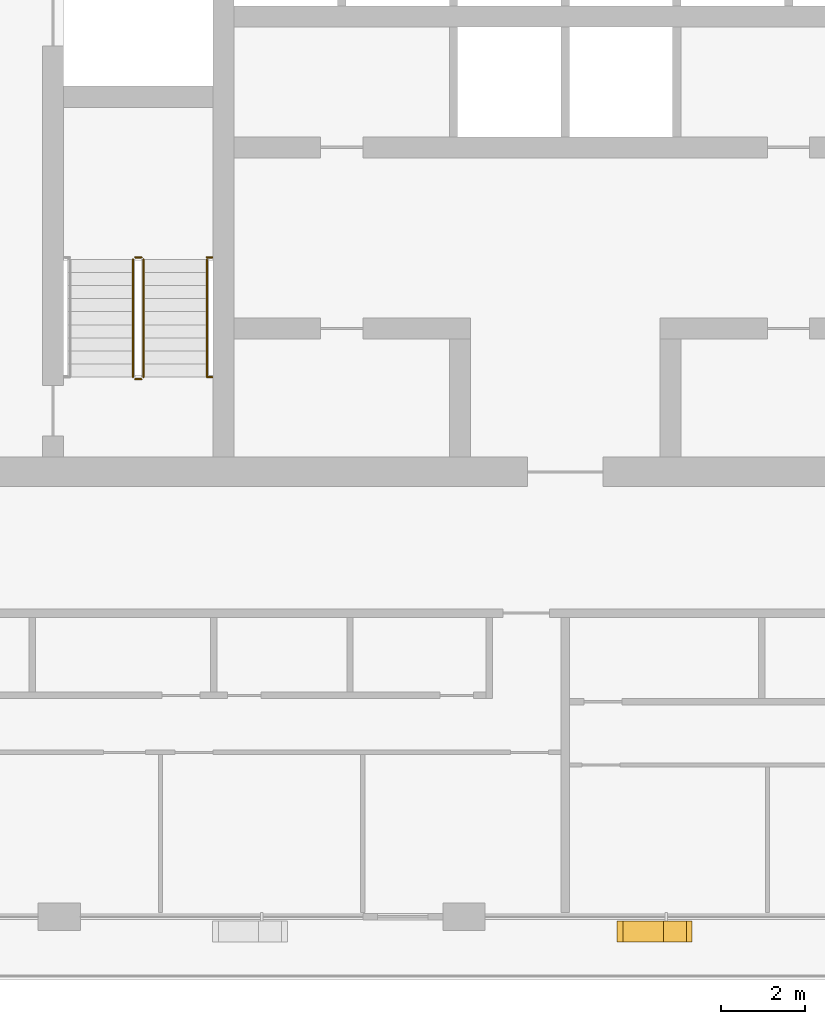
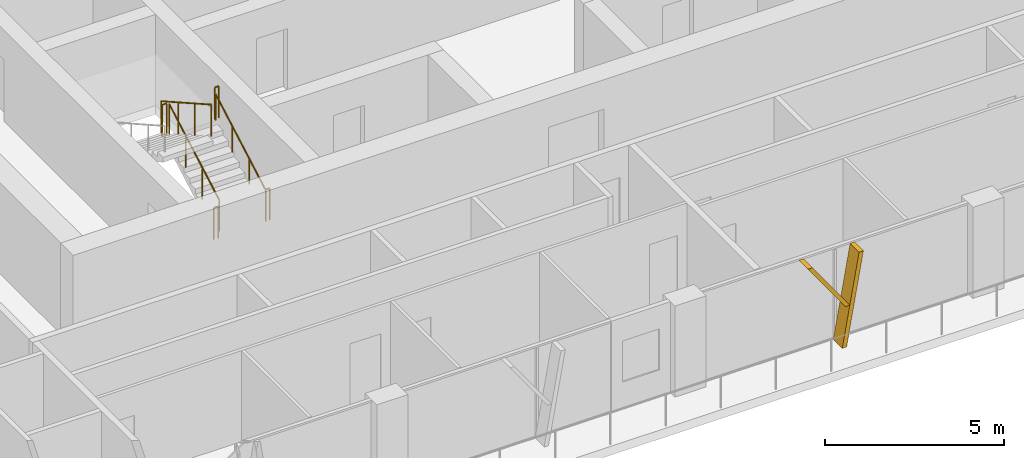
# One storey, part 17 of 22: 7 railings, 2 shading devices.
"""IFC4 building model written with IfcOpenShell, lengths in metres."""

from ifc_helpers import new_model, si_unit, direction, frame, origin, origin_2d, place, context, subcontext, project, spatial, polyline, circle, outline, extrude, material, type_object, element, save


model = new_model("IFC4")

# Units and contexts
model_context = context("Model", 3, precision=1e-05, world=origin(), true_north=direction((0.0, 1.0)))
body_context = subcontext(model_context, "Body", "Model", "MODEL_VIEW")
ifc_project = project(units=[si_unit("LENGTHUNIT", "METRE"), si_unit("AREAUNIT", "SQUARE_METRE"), si_unit("VOLUMEUNIT", "CUBIC_METRE"), si_unit("PLANEANGLEUNIT", "RADIAN"), si_unit("MASSUNIT", "GRAM", prefix="KILO")], contexts=[model_context])

# Site, building, storey
site_placement = place(None, origin())
site = spatial("IfcSite", under=ifc_project, at=site_placement, CompositionType="ELEMENT")
building_placement = place(site_placement, origin())
building = spatial("IfcBuilding", under=site, at=building_placement, Name="Madar Terraces", CompositionType="ELEMENT")
storey_placement = place(building_placement, frame((0.0, 0.0, 229.800048828125)))
storey = spatial("IfcBuildingStorey", under=building, at=storey_placement, Name="L60", CompositionType="ELEMENT", Elevation=229.800048828125)

# Shading devices
ifc_material_1 = material(Name="Aluminium, black anodised", Category="aluminium")
shading_device_type = type_object("IfcShadingDeviceType", Name="Facade fin blade 140 x 500", PredefinedType="USERDEFINED", material=ifc_material_1)
shading_device_1_placement = place(storey_placement, frame((33.530029296875, 4.449951171875, 0.0), z_axis=(0.0, 0.0, 1.0), x_axis=(1.0, 0.0, 0.0)))
element("IfcShadingDevice", 1, at=shading_device_1_placement, inside=storey, type_object=shading_device_type, Name="FIN L60 S3", ObjectType="FIN", PredefinedType="USERDEFINED", context=body_context, shape_type="SweptSolid", body=[
    extrude(outline(polyline([(0.0, 0.0), (0.139892578125, 0.0), (0.68310546875, 3.079833984375), (0.54296875, 3.079833984375), (0.0, 0.0)])), frame((0.0, 0.25, 0.0), z_axis=(0.0, -1.0, 0.0), x_axis=(1.0, 0.0, 0.0)), (0.0, 0.0, 1.0), 0.5),
])
shading_device_2_placement = place(storey_placement, frame((33.63427734375, 4.449951171875, 1.385986328125), z_axis=(0.0, 0.0, 1.0), x_axis=(1.0, 0.0, 0.0)))
element("IfcShadingDevice", 2, at=shading_device_2_placement, inside=storey, type_object=shading_device_type, Name="FIN L60 S3 branch", ObjectType="FIN", PredefinedType="USERDEFINED", context=body_context, shape_type="SweptSolid", body=[
    extrude(outline(polyline([(0.0, 0.0), (0.14013671875, 0.0), (-1.061279296875, 1.69384765625), (-1.201416015625, 1.69384765625), (0.0, 0.0)])), frame((0.0, 0.25, 0.0), z_axis=(0.0, -1.0, 0.0), x_axis=(1.0, 0.0, 0.0)), (0.0, 0.0, 1.0), 0.5),
])

# Railings
ifc_material_2 = material(Name="Stainless steel railing", Category="steel")
railing_type_1 = type_object("IfcRailingType", Name="Stair guard 1100", PredefinedType="GUARDRAIL", material=ifc_material_2)
railing_1_placement = place(storey_placement, frame((21.199951171875, 17.60009765625, 0.175048828125)))
element("IfcRailing", 3, at=railing_1_placement, inside=storey, type_object=railing_type_1, Name="L60 ST1 stair guard 1", PredefinedType="GUARDRAIL", context=body_context, shape_type="SweptSolid", body=[
    extrude(circle(Radius=0.02392578125, at=origin_2d()), frame((0.0, 0.0, 1.076171875), z_axis=(0.0, 0.870815363784, 0.491610213684), x_axis=(-1.0, 0.0, 0.0)), (0.0, 0.0, 1.0), 3.20361328125),
    extrude(circle(Radius=0.02099609375, at=origin_2d()), origin(), (0.0, 0.0, 1.0), 1.052001953125),
    extrude(circle(Radius=0.02099609375, at=origin_2d()), frame((0.0, 0.929931640625, 0.52490234375)), (0.0, 0.0, 1.0), 1.052001953125),
    extrude(circle(Radius=0.02099609375, at=origin_2d()), frame((0.0, 1.85986328125, 1.050048828125)), (0.0, 0.0, 1.0), 1.052001953125),
    extrude(circle(Radius=0.02099609375, at=origin_2d()), frame((0.0, 2.789794921875, 1.574951171875)), (0.0, 0.0, 1.0), 1.052001953125),
])
railing_2_placement = place(storey_placement, frame((21.14990234375, 20.43994140625, 1.75)))
element("IfcRailing", 4, at=railing_2_placement, inside=storey, type_object=railing_type_1, Name="L60 ST1 stair guard 2", PredefinedType="GUARDRAIL", context=body_context, shape_type="SweptSolid", body=[
    extrude(circle(Radius=0.02392578125, at=origin_2d()), frame((0.0, 0.0, 1.076171875), z_axis=(-1.0, 0.0, 0.0), x_axis=(0.0, -1.0, 0.0)), (0.0, 0.0, 1.0), 0.14990234375),
    extrude(circle(Radius=0.02099609375, at=origin_2d()), origin(), (0.0, 0.0, 1.0), 1.052001953125),
    extrude(circle(Radius=0.02099609375, at=origin_2d()), frame((-0.14990234375, 0.0, 0.0)), (0.0, 0.0, 1.0), 1.052001953125),
])
railing_3_placement = place(storey_placement, frame((20.949951171875, 20.389892578125, 1.925048828125)))
element("IfcRailing", 5, at=railing_3_placement, inside=storey, type_object=railing_type_1, Name="L60 ST1 stair guard 3", PredefinedType="GUARDRAIL", context=body_context, shape_type="SweptSolid", body=[
    extrude(circle(Radius=0.02392578125, at=origin_2d()), frame((0.0, 0.0, 1.076171875), z_axis=(0.0, -0.870815363784, 0.491610213684), x_axis=(1.0, 0.0, 0.0)), (0.0, 0.0, 1.0), 3.20361328125),
    extrude(circle(Radius=0.02099609375, at=origin_2d()), origin(), (0.0, 0.0, 1.0), 1.052001953125),
    extrude(circle(Radius=0.02099609375, at=origin_2d()), frame((0.0, -0.929931640625, 0.52490234375)), (0.0, 0.0, 1.0), 1.052001953125),
    extrude(circle(Radius=0.02099609375, at=origin_2d()), frame((0.0, -1.85986328125, 1.050048828125)), (0.0, 0.0, 1.0), 1.052001953125),
    extrude(circle(Radius=0.02099609375, at=origin_2d()), frame((0.0, -2.789794921875, 1.574951171875)), (0.0, 0.0, 1.0), 1.052001953125),
])
railing_4_placement = place(storey_placement, frame((21.14990234375, 17.550048828125, 0.0)))
element("IfcRailing", 6, at=railing_4_placement, inside=storey, type_object=railing_type_1, Name="L60 ST1 stair guard 4", PredefinedType="GUARDRAIL", context=body_context, shape_type="SweptSolid", body=[
    extrude(circle(Radius=0.02392578125, at=origin_2d()), frame((0.0, 0.0, 1.076171875), z_axis=(-1.0, 0.0, 0.0), x_axis=(0.0, -1.0, 0.0)), (0.0, 0.0, 1.0), 0.14990234375),
    extrude(circle(Radius=0.02099609375, at=origin_2d()), origin(), (0.0, 0.0, 1.0), 1.052001953125),
    extrude(circle(Radius=0.02099609375, at=origin_2d()), frame((-0.14990234375, 0.0, 0.0)), (0.0, 0.0, 1.0), 1.052001953125),
])
for number, where, name in (
    (7, (22.699951171875, 20.43994140625, 1.75), "L60 stair guard seat 2"),
    (8, (22.699951171875, 17.60009765625, 0.0), "L60 stair guard floor 2"),
):
    element("IfcRailing", number, at=place(storey_placement, frame(where)), inside=storey, type_object=railing_type_1, Name=name, PredefinedType="GUARDRAIL", context=body_context, shape_type="SweptSolid", body=[
        extrude(circle(Radius=0.02392578125, at=origin_2d()), frame((0.0, 0.0, 1.076171875), z_axis=(1.0, 0.0, 0.0), x_axis=(0.0, 1.0, 0.0)), (0.0, 0.0, 1.0), 0.130126953125),
        extrude(circle(Radius=0.02099609375, at=origin_2d()), origin(), (0.0, 0.0, 1.0), 1.052001953125),
        extrude(circle(Radius=0.02099609375, at=origin_2d()), frame((0.130126953125, 0.0, 0.0)), (0.0, 0.0, 1.0), 1.052001953125),
    ])
ifc_material_3 = material(Name="Stainless steel railing", Category="steel")
railing_type_2 = type_object("IfcRailingType", Name="Stair handrail 900", PredefinedType="HANDRAIL", material=ifc_material_3)
railing_5_placement = place(storey_placement, frame((22.699951171875, 17.60009765625, 0.175048828125)))
element("IfcRailing", 9, at=railing_5_placement, inside=storey, type_object=railing_type_2, Name="L60 ST1 stair handrail 1", PredefinedType="HANDRAIL", context=body_context, shape_type="SweptSolid", body=[
    extrude(circle(Radius=0.02392578125, at=origin_2d()), frame((0.0, 0.0, 0.8759765625), z_axis=(0.0, 0.870815363784, 0.491610213684), x_axis=(-1.0, 0.0, 0.0)), (0.0, 0.0, 1.0), 3.20361328125),
    extrude(circle(Radius=0.02099609375, at=origin_2d()), origin(), (0.0, 0.0, 1.0), 0.851806640625),
    extrude(circle(Radius=0.02099609375, at=origin_2d()), frame((0.0, 0.929931640625, 0.52490234375)), (0.0, 0.0, 1.0), 0.851806640625),
    extrude(circle(Radius=0.02099609375, at=origin_2d()), frame((0.0, 1.85986328125, 1.050048828125)), (0.0, 0.0, 1.0), 0.851806640625),
    extrude(circle(Radius=0.02099609375, at=origin_2d()), frame((0.0, 2.789794921875, 1.574951171875)), (0.0, 0.0, 1.0), 0.851806640625),
])

save(model, "model.ifc")
